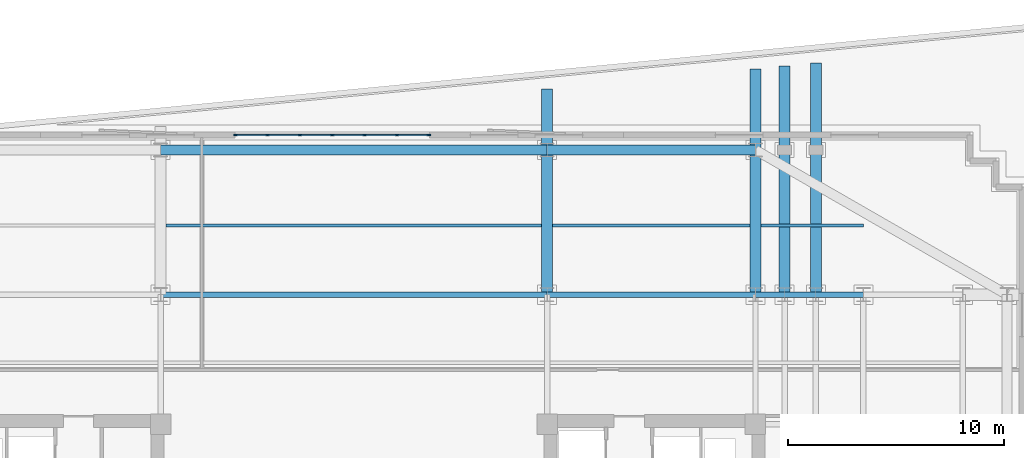
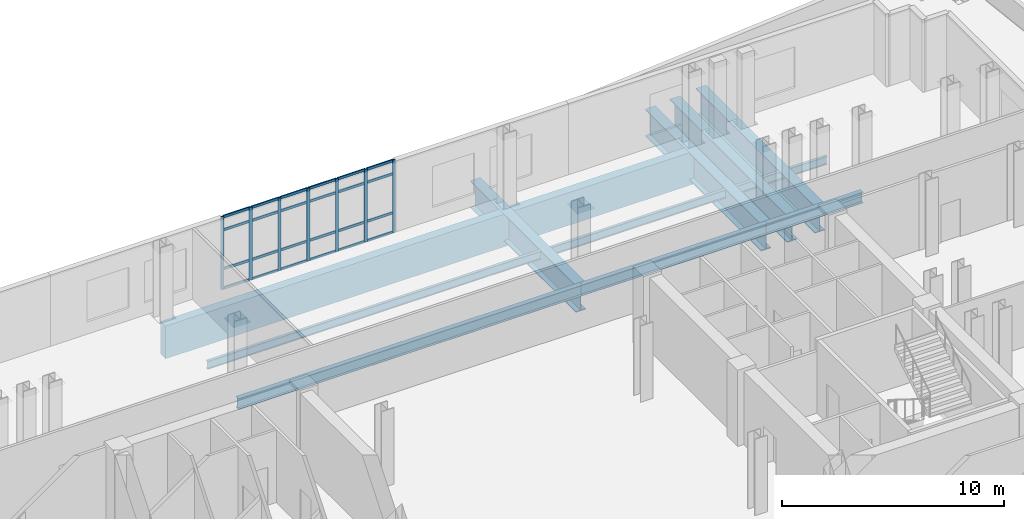
# One storey, part 4 of 14: 31 members, 12 beams, 1 element without a shape of its own.
"""IFC4 building model written with IfcOpenShell, lengths in metres."""

from ifc_helpers import new_model, si_unit, direction, frame, origin, origin_2d, place, context, subcontext, project, spatial, rectangle, i_section, extrude, material, layer, layer_set, material_profile, profile_set, type_object, element, aggregate, save


model = new_model("IFC4")

# Units and contexts
model_context = context("Model", 3, precision=1e-05, world=origin(), true_north=direction((0.0, 1.0)))
body_context = subcontext(model_context, "Body", "Model", "MODEL_VIEW")
ifc_project = project(units=[si_unit("LENGTHUNIT", "METRE"), si_unit("AREAUNIT", "SQUARE_METRE"), si_unit("VOLUMEUNIT", "CUBIC_METRE"), si_unit("PLANEANGLEUNIT", "RADIAN"), si_unit("MASSUNIT", "GRAM", prefix="KILO")], contexts=[model_context])

# Site, building, storey
site_placement = place(None, origin())
site = spatial("IfcSite", under=ifc_project, at=site_placement, CompositionType="ELEMENT")
building_placement = place(site_placement, origin())
building = spatial("IfcBuilding", under=site, at=building_placement, Name="Velakula Bourse", CompositionType="ELEMENT")
storey_placement = place(building_placement, frame((0.0, 0.0, 116.64990234375)))
storey = spatial("IfcBuildingStorey", under=building, at=storey_placement, Name="L31", CompositionType="ELEMENT", Elevation=116.64990234375)

# Beams
ifc_material_1 = material(Name="Steel IS 2062 Grade 350 (E350)", Category="steel")
ifc_material_profile_1 = material_profile(ifc_material_1, i_section(OverallWidth=0.25, OverallDepth=0.60009765625, WebThickness=0.01123046875, FlangeThickness=0.021240234375, at=origin_2d()), Name="Steel IS 2062 Grade 350 (E350)")
ifc_profile_set_1 = profile_set([ifc_material_profile_1], Name="Steel IS 2062 Grade 350 (E350)")
beam_type_1 = type_object("IfcBeamType", Name="BM-GRD-600M", PredefinedType="BEAM", material=ifc_profile_set_1)
beam_1_placement = place(storey_placement, frame((-8.949951171875, 14.60009765625, -0.579833984375), z_axis=(1.0, 0.0, 0.0), x_axis=(0.0, 1.0, 0.0)))
element("IfcBeam", 1, at=beam_1_placement, inside=storey, type_object=beam_type_1, Name="L31 Fulcrum Grid Girder FLC-N2", PredefinedType="BEAM", context=body_context, shape_type="SweptSolid", body=[
    extrude(i_section(OverallWidth=0.25, OverallDepth=0.60009765625, WebThickness=0.01123046875, FlangeThickness=0.021240234375, at=origin_2d()), origin(), (0.0, 0.0, 1.0), 17.89990234375),
])
beam_2_placement = place(storey_placement, frame((8.949951171875, 14.60009765625, -0.579833984375), z_axis=(1.0, 0.0, 0.0), x_axis=(0.0, 1.0, 0.0)))
element("IfcBeam", 2, at=beam_2_placement, inside=storey, type_object=beam_type_1, Name="L31 Fulcrum Grid Girder FLC-N3", PredefinedType="BEAM", context=body_context, shape_type="SweptSolid", body=[
    extrude(i_section(OverallWidth=0.25, OverallDepth=0.60009765625, WebThickness=0.01123046875, FlangeThickness=0.021240234375, at=origin_2d()), origin(), (0.0, 0.0, 1.0), 9.650146484375),
])
beam_3_placement = place(storey_placement, frame((18.60009765625, 14.60009765625, -0.579833984375), z_axis=(1.0, 0.0, 0.0), x_axis=(0.0, 1.0, 0.0)))
element("IfcBeam", 3, at=beam_3_placement, inside=storey, type_object=beam_type_1, Name="L31 Fulcrum Grid Girder MWG-EN2", PredefinedType="BEAM", context=body_context, shape_type="SweptSolid", body=[
    extrude(i_section(OverallWidth=0.25, OverallDepth=0.60009765625, WebThickness=0.01123046875, FlangeThickness=0.021240234375, at=origin_2d()), origin(), (0.0, 0.0, 1.0), 5.0),
])
ifc_material_profile_2 = material_profile(ifc_material_1, i_section(OverallWidth=0.14990234375, OverallDepth=0.449951171875, WebThickness=0.009521484375, FlangeThickness=0.017333984375, at=origin_2d()), Name="Steel IS 2062 Grade 350 (E350)")
ifc_profile_set_2 = profile_set([ifc_material_profile_2], Name="Steel IS 2062 Grade 350 (E350)")
beam_type_2 = type_object("IfcBeamType", Name="JST-TWR-450", PredefinedType="JOIST", material=ifc_profile_set_2)
beam_4_placement = place(storey_placement, frame((-8.68994140625, 17.800048828125, -0.5048828125), z_axis=(1.0, 0.0, 0.0), x_axis=(0.0, 1.0, 0.0)))
element("IfcBeam", 4, at=beam_4_placement, inside=storey, type_object=beam_type_2, Name="L31 Trading Floor Composite Joist 19", PredefinedType="JOIST", context=body_context, shape_type="SweptSolid", body=[
    extrude(i_section(OverallWidth=0.14990234375, OverallDepth=0.449951171875, WebThickness=0.009521484375, FlangeThickness=0.017333984375, at=origin_2d()), origin(), (0.0, 0.0, 1.0), 17.3798828125),
])
beam_5_placement = place(storey_placement, frame((9.2099609375, 17.800048828125, -0.5048828125), z_axis=(1.0, 0.0, 0.0), x_axis=(0.0, 1.0, 0.0)))
element("IfcBeam", 5, at=beam_5_placement, inside=storey, type_object=beam_type_2, Name="L31 Trading Floor Composite Joist 20", PredefinedType="JOIST", context=body_context, shape_type="SweptSolid", body=[
    extrude(i_section(OverallWidth=0.14990234375, OverallDepth=0.449951171875, WebThickness=0.009521484375, FlangeThickness=0.017333984375, at=origin_2d()), origin(), (0.0, 0.0, 1.0), 9.130126953125),
])
beam_6_placement = place(storey_placement, frame((18.860107421875, 17.800048828125, -0.5048828125), z_axis=(1.0, 0.0, 0.0), x_axis=(0.0, 1.0, 0.0)))
element("IfcBeam", 6, at=beam_6_placement, inside=storey, type_object=beam_type_2, Name="L31 Trading Floor Composite Joist 21", PredefinedType="JOIST", context=body_context, shape_type="SweptSolid", body=[
    extrude(i_section(OverallWidth=0.14990234375, OverallDepth=0.449951171875, WebThickness=0.009521484375, FlangeThickness=0.017333984375, at=origin_2d()), origin(), (0.0, 0.0, 1.0), 4.739990234375),
])

# Curtain wall, members
ifc_material_2 = material(Name="Anodised bronze architectural aluminium", Category="aluminium")
ifc_layer = layer(ifc_material_2, 0.1650390625, Name="Anodised bronze architectural aluminium", Category="aluminium")
ifc_layer_set = layer_set([ifc_layer], Name="Anodised bronze architectural aluminium")
curtain_wall_type = type_object("IfcCurtainWallType", Name="CW-SL1", PredefinedType="NOTDEFINED", material=ifc_layer_set)
curtain_wall_placement = place(storey_placement, origin())
curtain_wall = element("IfcCurtainWall", 7, at=curtain_wall_placement, inside=storey, type_object=curtain_wall_type, Name="L31 Sky-Lobby Feature Curtain Wall", PredefinedType="NOTDEFINED")
ifc_material_profile_3 = material_profile(ifc_material_2, rectangle(XDim=0.06005859375, YDim=0.1650390625, at=origin_2d()), Name="Anodised bronze architectural aluminium")
ifc_profile_set_3 = profile_set([ifc_material_profile_3], Name="Anodised bronze architectural aluminium")
member_type_1 = type_object("IfcMemberType", Name="MUL-CW-SL1", PredefinedType="MULLION", material=ifc_profile_set_3)
member_1_placement = place(storey_placement, frame((-5.469970703125, 21.989990234375, 0.0), z_axis=(0.0, 0.0, 1.0), x_axis=(0.0, 1.0, 0.0)))
member_1 = element("IfcMember", 8, at=member_1_placement, type_object=member_type_1, Name="CW-SL1 mullion 1", PredefinedType="MULLION", context=body_context, shape_type="SweptSolid", body=[
    extrude(rectangle(XDim=0.06005859375, YDim=0.1650390625, at=origin_2d()), origin(), (0.0, 0.0, 1.0), 4.0),
])
member_2_placement = place(storey_placement, frame((-4.0, 21.989990234375, 0.0), z_axis=(0.0, 0.0, 1.0), x_axis=(0.0, 1.0, 0.0)))
member_2 = element("IfcMember", 9, at=member_2_placement, type_object=member_type_1, Name="CW-SL1 mullion 2", PredefinedType="MULLION", context=body_context, shape_type="SweptSolid", body=[
    extrude(rectangle(XDim=0.06005859375, YDim=0.1650390625, at=origin_2d()), origin(), (0.0, 0.0, 1.0), 4.0),
])
member_3_placement = place(storey_placement, frame((-2.5, 21.989990234375, 0.0), z_axis=(0.0, 0.0, 1.0), x_axis=(0.0, 1.0, 0.0)))
member_3 = element("IfcMember", 10, at=member_3_placement, type_object=member_type_1, Name="CW-SL1 mullion 3", PredefinedType="MULLION", context=body_context, shape_type="SweptSolid", body=[
    extrude(rectangle(XDim=0.06005859375, YDim=0.1650390625, at=origin_2d()), origin(), (0.0, 0.0, 1.0), 4.0),
])
member_4_placement = place(storey_placement, frame((-1.0, 21.989990234375, 0.0), z_axis=(0.0, 0.0, 1.0), x_axis=(0.0, 1.0, 0.0)))
member_4 = element("IfcMember", 11, at=member_4_placement, type_object=member_type_1, Name="CW-SL1 mullion 4", PredefinedType="MULLION", context=body_context, shape_type="SweptSolid", body=[
    extrude(rectangle(XDim=0.06005859375, YDim=0.1650390625, at=origin_2d()), origin(), (0.0, 0.0, 1.0), 4.0),
])
member_5_placement = place(storey_placement, frame((0.5, 21.989990234375, 0.0), z_axis=(0.0, 0.0, 1.0), x_axis=(0.0, 1.0, 0.0)))
member_5 = element("IfcMember", 12, at=member_5_placement, type_object=member_type_1, Name="CW-SL1 mullion 5", PredefinedType="MULLION", context=body_context, shape_type="SweptSolid", body=[
    extrude(rectangle(XDim=0.06005859375, YDim=0.1650390625, at=origin_2d()), origin(), (0.0, 0.0, 1.0), 4.0),
])
member_6_placement = place(storey_placement, frame((2.0, 21.989990234375, 0.0), z_axis=(0.0, 0.0, 1.0), x_axis=(0.0, 1.0, 0.0)))
member_6 = element("IfcMember", 13, at=member_6_placement, type_object=member_type_1, Name="CW-SL1 mullion 6", PredefinedType="MULLION", context=body_context, shape_type="SweptSolid", body=[
    extrude(rectangle(XDim=0.06005859375, YDim=0.1650390625, at=origin_2d()), origin(), (0.0, 0.0, 1.0), 4.0),
])
member_7_placement = place(storey_placement, frame((3.469970703125, 21.989990234375, 0.0), z_axis=(0.0, 0.0, 1.0), x_axis=(0.0, 1.0, 0.0)))
member_7 = element("IfcMember", 14, at=member_7_placement, type_object=member_type_1, Name="CW-SL1 mullion 7", PredefinedType="MULLION", context=body_context, shape_type="SweptSolid", body=[
    extrude(rectangle(XDim=0.06005859375, YDim=0.1650390625, at=origin_2d()), origin(), (0.0, 0.0, 1.0), 4.0),
])

# Beams
ifc_material_3 = material(Name="Concrete M50 (fck 50 MPa)", Category="concrete")
ifc_material_profile_4 = material_profile(ifc_material_3, rectangle(XDim=0.449951171875, YDim=1.800048828125, at=origin_2d()), Name="Concrete M50 (fck 50 MPa)")
ifc_profile_set_4 = profile_set([ifc_material_profile_4], Name="Concrete M50 (fck 50 MPa)")
beam_type_3 = type_object("IfcBeamType", Name="SPN-TRF-1800", PredefinedType="SPANDREL", material=ifc_profile_set_4)
beam_7_placement = place(storey_placement, frame((-8.949951171875, 21.300048828125, -1.179931640625), z_axis=(1.0, 0.0, 0.0), x_axis=(0.0, 1.0, 0.0)))
element("IfcBeam", 15, at=beam_7_placement, inside=storey, type_object=beam_type_3, Name="L31 Brick-Faced Precast Spandrel N2-N3", PredefinedType="SPANDREL", context=body_context, shape_type="SweptSolid", body=[
    extrude(rectangle(XDim=0.449951171875, YDim=1.800048828125, at=origin_2d()), origin(), (0.0, 0.0, 1.0), 17.89990234375),
])
beam_8_placement = place(storey_placement, frame((8.949951171875, 21.300048828125, -1.179931640625), z_axis=(1.0, 0.0, 0.0), x_axis=(0.0, 1.0, 0.0)))
element("IfcBeam", 16, at=beam_8_placement, inside=storey, type_object=beam_type_3, Name="L31 Brick-Faced Precast Spandrel N3-N4", PredefinedType="SPANDREL", context=body_context, shape_type="SweptSolid", body=[
    extrude(rectangle(XDim=0.449951171875, YDim=1.800048828125, at=origin_2d()), origin(), (0.0, 0.0, 1.0), 9.650146484375),
])
ifc_material_4 = material(Name="Steel IS 2062 Grade 450 (E450)", Category="steel")
ifc_material_profile_5 = material_profile(ifc_material_4, i_section(OverallWidth=0.52001953125, OverallDepth=1.5, WebThickness=0.030029296875, FlangeThickness=0.048095703125, at=origin_2d()), Name="Steel IS 2062 Grade 450 (E450)")
ifc_profile_set_5 = profile_set([ifc_material_profile_5], Name="Steel IS 2062 Grade 450 (E450)")
beam_type_4 = type_object("IfcBeamType", Name="TB-CANT-1500", PredefinedType="BEAM", material=ifc_profile_set_5)
beam_9_placement = place(storey_placement, frame((8.949951171875, 14.60009765625, -1.02978515625), z_axis=(0.0, 1.0, 0.0), x_axis=(-1.0, 0.0, 0.0)))
element("IfcBeam", 17, at=beam_9_placement, inside=storey, type_object=beam_type_4, Name="L31 Block B3 Transfer Girder N3", PredefinedType="BEAM", context=body_context, shape_type="SweptSolid", body=[
    extrude(i_section(OverallWidth=0.52001953125, OverallDepth=1.5, WebThickness=0.030029296875, FlangeThickness=0.048095703125, at=origin_2d()), origin(), (0.0, 0.0, 1.0), 9.521484375),
])
beam_10_placement = place(storey_placement, frame((18.60009765625, 14.60009765625, -1.02978515625), z_axis=(0.0, 1.0, 0.0), x_axis=(-1.0, 0.0, 0.0)))
element("IfcBeam", 18, at=beam_10_placement, inside=storey, type_object=beam_type_4, Name="L31 Block B3 Transfer Girder N4", PredefinedType="BEAM", context=body_context, shape_type="SweptSolid", body=[
    extrude(i_section(OverallWidth=0.52001953125, OverallDepth=1.5, WebThickness=0.030029296875, FlangeThickness=0.048095703125, at=origin_2d()), origin(), (0.0, 0.0, 1.0), 10.45068359375),
])
beam_11_placement = place(storey_placement, frame((19.949951171875, 14.60009765625, -1.02978515625), z_axis=(0.0, 1.0, 0.0), x_axis=(-1.0, 0.0, 0.0)))
element("IfcBeam", 19, at=beam_11_placement, inside=storey, type_object=beam_type_4, Name="L31 Block B3 Transfer Girder P07", PredefinedType="BEAM", context=body_context, shape_type="SweptSolid", body=[
    extrude(i_section(OverallWidth=0.52001953125, OverallDepth=1.5, WebThickness=0.030029296875, FlangeThickness=0.048095703125, at=origin_2d()), origin(), (0.0, 0.0, 1.0), 10.580810546875),
])
beam_12_placement = place(storey_placement, frame((21.39990234375, 14.60009765625, -1.02978515625), z_axis=(0.0, 1.0, 0.0), x_axis=(-1.0, 0.0, 0.0)))
element("IfcBeam", 20, at=beam_12_placement, inside=storey, type_object=beam_type_4, Name="L31 Block B3 Transfer Girder P08", PredefinedType="BEAM", context=body_context, shape_type="SweptSolid", body=[
    extrude(i_section(OverallWidth=0.52001953125, OverallDepth=1.5, WebThickness=0.030029296875, FlangeThickness=0.048095703125, at=origin_2d()), origin(), (0.0, 0.0, 1.0), 10.720458984375),
])

# Member
ifc_material_profile_6 = material_profile(ifc_material_2, rectangle(XDim=0.06005859375, YDim=0.139892578125, at=origin_2d()), Name="Anodised bronze architectural aluminium")
ifc_profile_set_6 = profile_set([ifc_material_profile_6], Name="Anodised bronze architectural aluminium")
member_type_2 = type_object("IfcMemberType", Name="TRN-CW-SL1", PredefinedType="USERDEFINED", material=ifc_profile_set_6)
member_8_placement = place(storey_placement, frame((-5.43994140625, 21.989990234375, 0.030029296875), z_axis=(1.0, 0.0, 0.0), x_axis=(0.0, 1.0, 0.0)))
member_8 = element("IfcMember", 21, at=member_8_placement, type_object=member_type_2, Name="CW-SL1 transom 1.1", ObjectType="TRANSOM", PredefinedType="USERDEFINED", context=body_context, shape_type="SweptSolid", body=[
    extrude(rectangle(XDim=0.06005859375, YDim=0.139892578125, at=origin_2d()), origin(), (0.0, 0.0, 1.0), 1.409912109375),
])

member_9_placement = place(storey_placement, frame((-5.43994140625, 21.989990234375, 1.10009765625), z_axis=(1.0, 0.0, 0.0), x_axis=(0.0, 1.0, 0.0)))
member_9 = element("IfcMember", 22, at=member_9_placement, type_object=member_type_2, Name="CW-SL1 transom 1.2", ObjectType="TRANSOM", PredefinedType="USERDEFINED", context=body_context, shape_type="SweptSolid", body=[
    extrude(rectangle(XDim=0.06005859375, YDim=0.139892578125, at=origin_2d()), origin(), (0.0, 0.0, 1.0), 1.409912109375),
])

member_10_placement = place(storey_placement, frame((-5.43994140625, 21.989990234375, 3.25), z_axis=(1.0, 0.0, 0.0), x_axis=(0.0, 1.0, 0.0)))
member_10 = element("IfcMember", 23, at=member_10_placement, type_object=member_type_2, Name="CW-SL1 transom 1.3", ObjectType="TRANSOM", PredefinedType="USERDEFINED", context=body_context, shape_type="SweptSolid", body=[
    extrude(rectangle(XDim=0.06005859375, YDim=0.139892578125, at=origin_2d()), origin(), (0.0, 0.0, 1.0), 1.409912109375),
])

member_11_placement = place(storey_placement, frame((-5.43994140625, 21.989990234375, 3.97021484375), z_axis=(1.0, 0.0, 0.0), x_axis=(0.0, 1.0, 0.0)))
member_11 = element("IfcMember", 24, at=member_11_placement, type_object=member_type_2, Name="CW-SL1 transom 1.4", ObjectType="TRANSOM", PredefinedType="USERDEFINED", context=body_context, shape_type="SweptSolid", body=[
    extrude(rectangle(XDim=0.06005859375, YDim=0.139892578125, at=origin_2d()), origin(), (0.0, 0.0, 1.0), 1.409912109375),
])

member_12_placement = place(storey_placement, frame((-3.969970703125, 21.989990234375, 0.030029296875), z_axis=(1.0, 0.0, 0.0), x_axis=(0.0, 1.0, 0.0)))
member_12 = element("IfcMember", 25, at=member_12_placement, type_object=member_type_2, Name="CW-SL1 transom 2.1", ObjectType="TRANSOM", PredefinedType="USERDEFINED", context=body_context, shape_type="SweptSolid", body=[
    extrude(rectangle(XDim=0.06005859375, YDim=0.139892578125, at=origin_2d()), origin(), (0.0, 0.0, 1.0), 1.43994140625),
])

member_13_placement = place(storey_placement, frame((-3.969970703125, 21.989990234375, 1.10009765625), z_axis=(1.0, 0.0, 0.0), x_axis=(0.0, 1.0, 0.0)))
member_13 = element("IfcMember", 26, at=member_13_placement, type_object=member_type_2, Name="CW-SL1 transom 2.2", ObjectType="TRANSOM", PredefinedType="USERDEFINED", context=body_context, shape_type="SweptSolid", body=[
    extrude(rectangle(XDim=0.06005859375, YDim=0.139892578125, at=origin_2d()), origin(), (0.0, 0.0, 1.0), 1.43994140625),
])

member_14_placement = place(storey_placement, frame((-3.969970703125, 21.989990234375, 3.25), z_axis=(1.0, 0.0, 0.0), x_axis=(0.0, 1.0, 0.0)))
member_14 = element("IfcMember", 27, at=member_14_placement, type_object=member_type_2, Name="CW-SL1 transom 2.3", ObjectType="TRANSOM", PredefinedType="USERDEFINED", context=body_context, shape_type="SweptSolid", body=[
    extrude(rectangle(XDim=0.06005859375, YDim=0.139892578125, at=origin_2d()), origin(), (0.0, 0.0, 1.0), 1.43994140625),
])

member_15_placement = place(storey_placement, frame((-3.969970703125, 21.989990234375, 3.97021484375), z_axis=(1.0, 0.0, 0.0), x_axis=(0.0, 1.0, 0.0)))
member_15 = element("IfcMember", 28, at=member_15_placement, type_object=member_type_2, Name="CW-SL1 transom 2.4", ObjectType="TRANSOM", PredefinedType="USERDEFINED", context=body_context, shape_type="SweptSolid", body=[
    extrude(rectangle(XDim=0.06005859375, YDim=0.139892578125, at=origin_2d()), origin(), (0.0, 0.0, 1.0), 1.43994140625),
])

member_16_placement = place(storey_placement, frame((-2.469970703125, 21.989990234375, 0.030029296875), z_axis=(1.0, 0.0, 0.0), x_axis=(0.0, 1.0, 0.0)))
member_16 = element("IfcMember", 29, at=member_16_placement, type_object=member_type_2, Name="CW-SL1 transom 3.1", ObjectType="TRANSOM", PredefinedType="USERDEFINED", context=body_context, shape_type="SweptSolid", body=[
    extrude(rectangle(XDim=0.06005859375, YDim=0.139892578125, at=origin_2d()), origin(), (0.0, 0.0, 1.0), 1.43994140625),
])

member_17_placement = place(storey_placement, frame((-2.469970703125, 21.989990234375, 1.10009765625), z_axis=(1.0, 0.0, 0.0), x_axis=(0.0, 1.0, 0.0)))
member_17 = element("IfcMember", 30, at=member_17_placement, type_object=member_type_2, Name="CW-SL1 transom 3.2", ObjectType="TRANSOM", PredefinedType="USERDEFINED", context=body_context, shape_type="SweptSolid", body=[
    extrude(rectangle(XDim=0.06005859375, YDim=0.139892578125, at=origin_2d()), origin(), (0.0, 0.0, 1.0), 1.43994140625),
])

member_18_placement = place(storey_placement, frame((-2.469970703125, 21.989990234375, 3.25), z_axis=(1.0, 0.0, 0.0), x_axis=(0.0, 1.0, 0.0)))
member_18 = element("IfcMember", 31, at=member_18_placement, type_object=member_type_2, Name="CW-SL1 transom 3.3", ObjectType="TRANSOM", PredefinedType="USERDEFINED", context=body_context, shape_type="SweptSolid", body=[
    extrude(rectangle(XDim=0.06005859375, YDim=0.139892578125, at=origin_2d()), origin(), (0.0, 0.0, 1.0), 1.43994140625),
])

member_19_placement = place(storey_placement, frame((-2.469970703125, 21.989990234375, 3.97021484375), z_axis=(1.0, 0.0, 0.0), x_axis=(0.0, 1.0, 0.0)))
member_19 = element("IfcMember", 32, at=member_19_placement, type_object=member_type_2, Name="CW-SL1 transom 3.4", ObjectType="TRANSOM", PredefinedType="USERDEFINED", context=body_context, shape_type="SweptSolid", body=[
    extrude(rectangle(XDim=0.06005859375, YDim=0.139892578125, at=origin_2d()), origin(), (0.0, 0.0, 1.0), 1.43994140625),
])

member_20_placement = place(storey_placement, frame((-0.969970703125, 21.989990234375, 0.030029296875), z_axis=(1.0, 0.0, 0.0), x_axis=(0.0, 1.0, 0.0)))
member_20 = element("IfcMember", 33, at=member_20_placement, type_object=member_type_2, Name="CW-SL1 transom 4.1", ObjectType="TRANSOM", PredefinedType="USERDEFINED", context=body_context, shape_type="SweptSolid", body=[
    extrude(rectangle(XDim=0.06005859375, YDim=0.139892578125, at=origin_2d()), origin(), (0.0, 0.0, 1.0), 1.43994140625),
])

member_21_placement = place(storey_placement, frame((-0.969970703125, 21.989990234375, 1.10009765625), z_axis=(1.0, 0.0, 0.0), x_axis=(0.0, 1.0, 0.0)))
member_21 = element("IfcMember", 34, at=member_21_placement, type_object=member_type_2, Name="CW-SL1 transom 4.2", ObjectType="TRANSOM", PredefinedType="USERDEFINED", context=body_context, shape_type="SweptSolid", body=[
    extrude(rectangle(XDim=0.06005859375, YDim=0.139892578125, at=origin_2d()), origin(), (0.0, 0.0, 1.0), 1.43994140625),
])

member_22_placement = place(storey_placement, frame((-0.969970703125, 21.989990234375, 3.25), z_axis=(1.0, 0.0, 0.0), x_axis=(0.0, 1.0, 0.0)))
member_22 = element("IfcMember", 35, at=member_22_placement, type_object=member_type_2, Name="CW-SL1 transom 4.3", ObjectType="TRANSOM", PredefinedType="USERDEFINED", context=body_context, shape_type="SweptSolid", body=[
    extrude(rectangle(XDim=0.06005859375, YDim=0.139892578125, at=origin_2d()), origin(), (0.0, 0.0, 1.0), 1.43994140625),
])

member_23_placement = place(storey_placement, frame((-0.969970703125, 21.989990234375, 3.97021484375), z_axis=(1.0, 0.0, 0.0), x_axis=(0.0, 1.0, 0.0)))
member_23 = element("IfcMember", 36, at=member_23_placement, type_object=member_type_2, Name="CW-SL1 transom 4.4", ObjectType="TRANSOM", PredefinedType="USERDEFINED", context=body_context, shape_type="SweptSolid", body=[
    extrude(rectangle(XDim=0.06005859375, YDim=0.139892578125, at=origin_2d()), origin(), (0.0, 0.0, 1.0), 1.43994140625),
])

member_24_placement = place(storey_placement, frame((0.530029296875, 21.989990234375, 0.030029296875), z_axis=(1.0, 0.0, 0.0), x_axis=(0.0, 1.0, 0.0)))
member_24 = element("IfcMember", 37, at=member_24_placement, type_object=member_type_2, Name="CW-SL1 transom 5.1", ObjectType="TRANSOM", PredefinedType="USERDEFINED", context=body_context, shape_type="SweptSolid", body=[
    extrude(rectangle(XDim=0.06005859375, YDim=0.139892578125, at=origin_2d()), origin(), (0.0, 0.0, 1.0), 1.43994140625),
])

member_25_placement = place(storey_placement, frame((0.530029296875, 21.989990234375, 1.10009765625), z_axis=(1.0, 0.0, 0.0), x_axis=(0.0, 1.0, 0.0)))
member_25 = element("IfcMember", 38, at=member_25_placement, type_object=member_type_2, Name="CW-SL1 transom 5.2", ObjectType="TRANSOM", PredefinedType="USERDEFINED", context=body_context, shape_type="SweptSolid", body=[
    extrude(rectangle(XDim=0.06005859375, YDim=0.139892578125, at=origin_2d()), origin(), (0.0, 0.0, 1.0), 1.43994140625),
])

member_26_placement = place(storey_placement, frame((0.530029296875, 21.989990234375, 3.25), z_axis=(1.0, 0.0, 0.0), x_axis=(0.0, 1.0, 0.0)))
member_26 = element("IfcMember", 39, at=member_26_placement, type_object=member_type_2, Name="CW-SL1 transom 5.3", ObjectType="TRANSOM", PredefinedType="USERDEFINED", context=body_context, shape_type="SweptSolid", body=[
    extrude(rectangle(XDim=0.06005859375, YDim=0.139892578125, at=origin_2d()), origin(), (0.0, 0.0, 1.0), 1.43994140625),
])

member_27_placement = place(storey_placement, frame((0.530029296875, 21.989990234375, 3.97021484375), z_axis=(1.0, 0.0, 0.0), x_axis=(0.0, 1.0, 0.0)))
member_27 = element("IfcMember", 40, at=member_27_placement, type_object=member_type_2, Name="CW-SL1 transom 5.4", ObjectType="TRANSOM", PredefinedType="USERDEFINED", context=body_context, shape_type="SweptSolid", body=[
    extrude(rectangle(XDim=0.06005859375, YDim=0.139892578125, at=origin_2d()), origin(), (0.0, 0.0, 1.0), 1.43994140625),
])

member_28_placement = place(storey_placement, frame((2.030029296875, 21.989990234375, 0.030029296875), z_axis=(1.0, 0.0, 0.0), x_axis=(0.0, 1.0, 0.0)))
member_28 = element("IfcMember", 41, at=member_28_placement, type_object=member_type_2, Name="CW-SL1 transom 6.1", ObjectType="TRANSOM", PredefinedType="USERDEFINED", context=body_context, shape_type="SweptSolid", body=[
    extrude(rectangle(XDim=0.06005859375, YDim=0.139892578125, at=origin_2d()), origin(), (0.0, 0.0, 1.0), 1.409912109375),
])

member_29_placement = place(storey_placement, frame((2.030029296875, 21.989990234375, 1.10009765625), z_axis=(1.0, 0.0, 0.0), x_axis=(0.0, 1.0, 0.0)))
member_29 = element("IfcMember", 42, at=member_29_placement, type_object=member_type_2, Name="CW-SL1 transom 6.2", ObjectType="TRANSOM", PredefinedType="USERDEFINED", context=body_context, shape_type="SweptSolid", body=[
    extrude(rectangle(XDim=0.06005859375, YDim=0.139892578125, at=origin_2d()), origin(), (0.0, 0.0, 1.0), 1.409912109375),
])

member_30_placement = place(storey_placement, frame((2.030029296875, 21.989990234375, 3.25), z_axis=(1.0, 0.0, 0.0), x_axis=(0.0, 1.0, 0.0)))
member_30 = element("IfcMember", 43, at=member_30_placement, type_object=member_type_2, Name="CW-SL1 transom 6.3", ObjectType="TRANSOM", PredefinedType="USERDEFINED", context=body_context, shape_type="SweptSolid", body=[
    extrude(rectangle(XDim=0.06005859375, YDim=0.139892578125, at=origin_2d()), origin(), (0.0, 0.0, 1.0), 1.409912109375),
])

member_31_placement = place(storey_placement, frame((2.030029296875, 21.989990234375, 3.97021484375), z_axis=(1.0, 0.0, 0.0), x_axis=(0.0, 1.0, 0.0)))
member_31 = element("IfcMember", 44, at=member_31_placement, type_object=member_type_2, Name="CW-SL1 transom 6.4", ObjectType="TRANSOM", PredefinedType="USERDEFINED", context=body_context, shape_type="SweptSolid", body=[
    extrude(rectangle(XDim=0.06005859375, YDim=0.139892578125, at=origin_2d()), origin(), (0.0, 0.0, 1.0), 1.409912109375),
])

aggregate(curtain_wall, [member_1, member_2, member_3, member_4, member_5, member_6, member_7, member_8, member_9, member_10, member_11, member_12, member_13, member_14, member_15, member_16, member_17, member_18, member_19, member_20, member_21, member_22, member_23, member_24, member_25, member_26, member_27, member_28, member_29, member_30, member_31])

save(model, "model.ifc")
